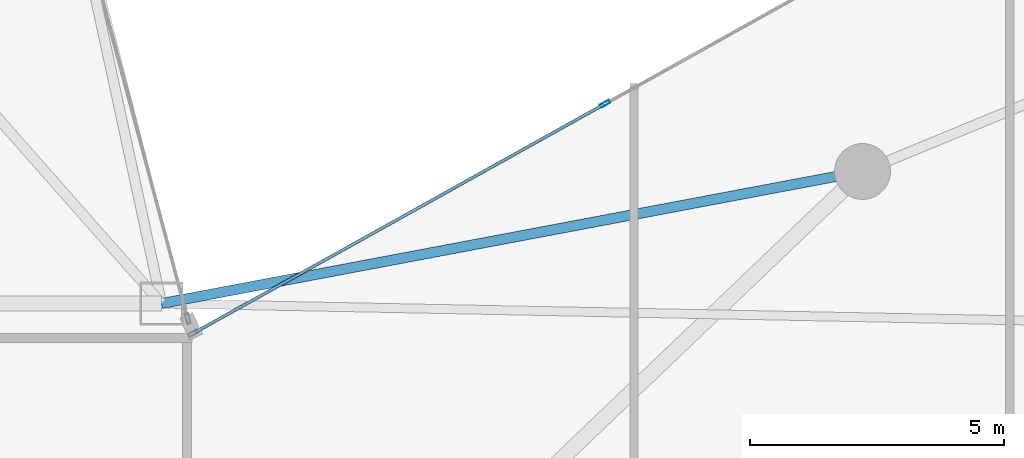
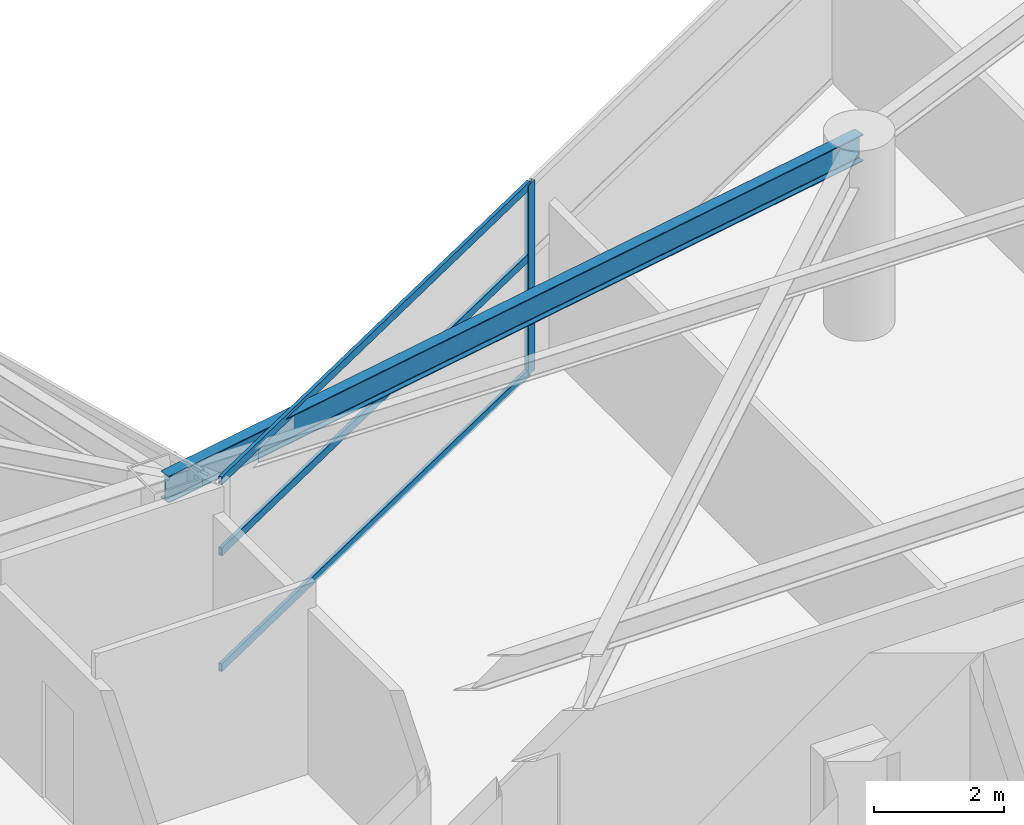
# One storey, part 11 of 28: 4 members, 1 beam, 1 element without a shape of its own.
"""IFC4 building model written with IfcOpenShell, lengths in metres."""

from ifc_helpers import new_model, si_unit, direction, frame, origin, origin_2d, place, context, subcontext, project, spatial, hollow_rectangle, i_section, extrude, material, layer, layer_set, material_profile, profile_set, type_object, element, aggregate, save


model = new_model("IFC4")

# Units and contexts
model_context = context("Model", 3, precision=1e-05, world=origin(), true_north=direction((0.0, 1.0)))
body_context = subcontext(model_context, "Body", "Model", "MODEL_VIEW")
ifc_project = project(units=[si_unit("LENGTHUNIT", "METRE"), si_unit("AREAUNIT", "SQUARE_METRE"), si_unit("VOLUMEUNIT", "CUBIC_METRE"), si_unit("PLANEANGLEUNIT", "RADIAN"), si_unit("MASSUNIT", "GRAM", prefix="KILO")], contexts=[model_context])

# Site, building, storey
site_placement = place(None, origin())
site = spatial("IfcSite", under=ifc_project, at=site_placement, CompositionType="ELEMENT")
building_placement = place(site_placement, origin())
building = spatial("IfcBuilding", under=site, at=building_placement, Name="Calvorn Quay Hotel", CompositionType="ELEMENT")
storey_placement = place(building_placement, frame((0.0, 0.0, 101.199951171875)))
storey = spatial("IfcBuildingStorey", under=building, at=storey_placement, Name="L24", CompositionType="ELEMENT", Elevation=101.199951171875)

# Beam
ifc_material_1 = material(Name="Steel Q355B", Category="steel")
ifc_material_profile_1 = material_profile(ifc_material_1, i_section(OverallWidth=0.199951171875, OverallDepth=0.5, WebThickness=0.010009765625, FlangeThickness=0.01611328125, FilletRadius=0.01611328125, at=origin_2d()), Name="HN500x200x10x16")
ifc_profile_set_1 = profile_set([ifc_material_profile_1], Name="Steel Q355B")
beam_type = type_object("IfcBeamType", Name="BM-SPANDREL-Z1", PredefinedType="SPANDREL", material=ifc_profile_set_1)
beam_placement = place(storey_placement, frame((34.800048828125, 27.60009765625, 3.2900390625), z_axis=(-0.982709432406, -0.185154452988, 0.0), x_axis=(0.185154452988, -0.982709432406, 0.0)))
element("IfcBeam", 1, at=beam_placement, inside=storey, type_object=beam_type, Name="Beam BSP-L24-E5", PredefinedType="SPANDREL", context=body_context, shape_type="SweptSolid", body=[
    extrude(i_section(OverallWidth=0.199951171875, OverallDepth=0.5, WebThickness=0.010009765625, FlangeThickness=0.01611328125, FilletRadius=0.01611328125, at=origin_2d()), origin(), (0.0, 0.0, 1.0), 14.04296875),
])

# Curtain wall, members
ifc_material_2 = material(Name="Pale Anodised Aluminium and Low-E Glass", Category="aluminium")
ifc_layer = layer(ifc_material_2, 0.219970703125)
ifc_layer_set = layer_set([ifc_layer], Name="CW-SYS-Z2")
curtain_wall_type = type_object("IfcCurtainWallType", Name="CW-SYS-Z2", PredefinedType="NOTDEFINED", material=ifc_layer_set)
curtain_wall_placement = place(storey_placement, origin())
curtain_wall = element("IfcCurtainWall", 2, at=curtain_wall_placement, inside=storey, type_object=curtain_wall_type, Name="Inner Court Curtain Wall L24-NE1", PredefinedType="NOTDEFINED")
ifc_material_3 = material(Name="Pale Anodised Aluminium 6063-T6", Category="aluminium")
ifc_material_profile_2 = material_profile(ifc_material_3, hollow_rectangle(XDim=0.070068359375, YDim=0.199951171875, WallThickness=0.00390625, at=origin_2d()), Name="ALU-M200x70x4")
ifc_profile_set_2 = profile_set([ifc_material_profile_2], Name="Pale Anodised Aluminium 6063-T6")
member_type_1 = type_object("IfcMemberType", Name="CW-SYS-Z2-MUL", PredefinedType="MULLION", material=ifc_profile_set_2)
member_1_placement = place(storey_placement, frame((29.7333984375, 28.933349609375, 0.0), z_axis=(0.0, 0.0, 1.0), x_axis=(0.486858256224, -0.873480989116, 0.0)))
member_1 = element("IfcMember", 3, at=member_1_placement, type_object=member_type_1, Name="CW-L24-NE1 mullion 3", PredefinedType="MULLION", context=body_context, shape_type="SweptSolid", body=[
    extrude(hollow_rectangle(XDim=0.070068359375, YDim=0.199951171875, WallThickness=0.00390625, at=origin_2d()), origin(), (0.0, 0.0, 1.0), 3.56005859375),
])
ifc_material_4 = material(Name="Pale Anodised Aluminium 6063-T6", Category="aluminium")
ifc_material_profile_3 = material_profile(ifc_material_4, hollow_rectangle(XDim=0.06005859375, YDim=0.14990234375, WallThickness=0.00341796875, at=origin_2d()), Name="ALU-T150x60x3.5")
ifc_profile_set_3 = profile_set([ifc_material_profile_3], Name="Pale Anodised Aluminium 6063-T6")
member_type_2 = type_object("IfcMemberType", Name="CW-SYS-Z2-TRN", PredefinedType="USERDEFINED", material=ifc_profile_set_3)
member_2_placement = place(storey_placement, frame((29.70703125, 28.918701171875, 0.030029296875), z_axis=(-0.87348080454, -0.486858587375, 0.0), x_axis=(0.486858587375, -0.87348080454, 0.0)))
member_2 = element("IfcMember", 4, at=member_2_placement, type_object=member_type_2, Name="CW-L24-NE1 transom 3.1", ObjectType="TRANSOM", PredefinedType="USERDEFINED", context=body_context, shape_type="SweptSolid", body=[
    extrude(hollow_rectangle(XDim=0.06005859375, YDim=0.14990234375, WallThickness=0.00341796875, at=origin_2d()), origin(), (0.0, 0.0, 1.0), 9.221435546875),
])
member_3_placement = place(storey_placement, frame((29.70703125, 28.918701171875, 2.199951171875), z_axis=(-0.87348080454, -0.486858587375, 0.0), x_axis=(0.486858587375, -0.87348080454, 0.0)))
member_3 = element("IfcMember", 5, at=member_3_placement, type_object=member_type_2, Name="CW-L24-NE1 transom 3.2", ObjectType="TRANSOM", PredefinedType="USERDEFINED", context=body_context, shape_type="SweptSolid", body=[
    extrude(hollow_rectangle(XDim=0.06005859375, YDim=0.14990234375, WallThickness=0.00341796875, at=origin_2d()), origin(), (0.0, 0.0, 1.0), 9.221435546875),
])
member_4_placement = place(storey_placement, frame((29.70703125, 28.918701171875, 3.530029296875), z_axis=(-0.87348080454, -0.486858587375, 0.0), x_axis=(0.486858587375, -0.87348080454, 0.0)))
member_4 = element("IfcMember", 6, at=member_4_placement, type_object=member_type_2, Name="CW-L24-NE1 transom 3.3", ObjectType="TRANSOM", PredefinedType="USERDEFINED", context=body_context, shape_type="SweptSolid", body=[
    extrude(hollow_rectangle(XDim=0.06005859375, YDim=0.14990234375, WallThickness=0.00341796875, at=origin_2d()), origin(), (0.0, 0.0, 1.0), 9.221435546875),
])
aggregate(curtain_wall, [member_1, member_2, member_3, member_4])

save(model, "model.ifc")
